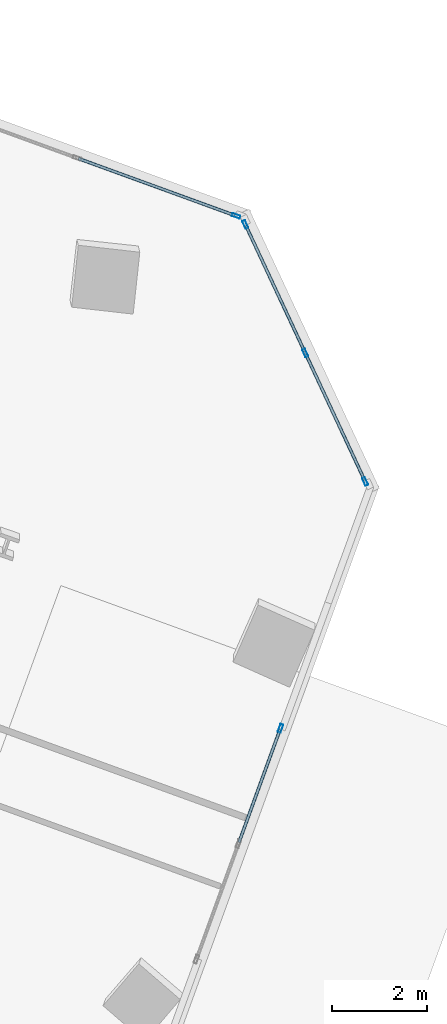
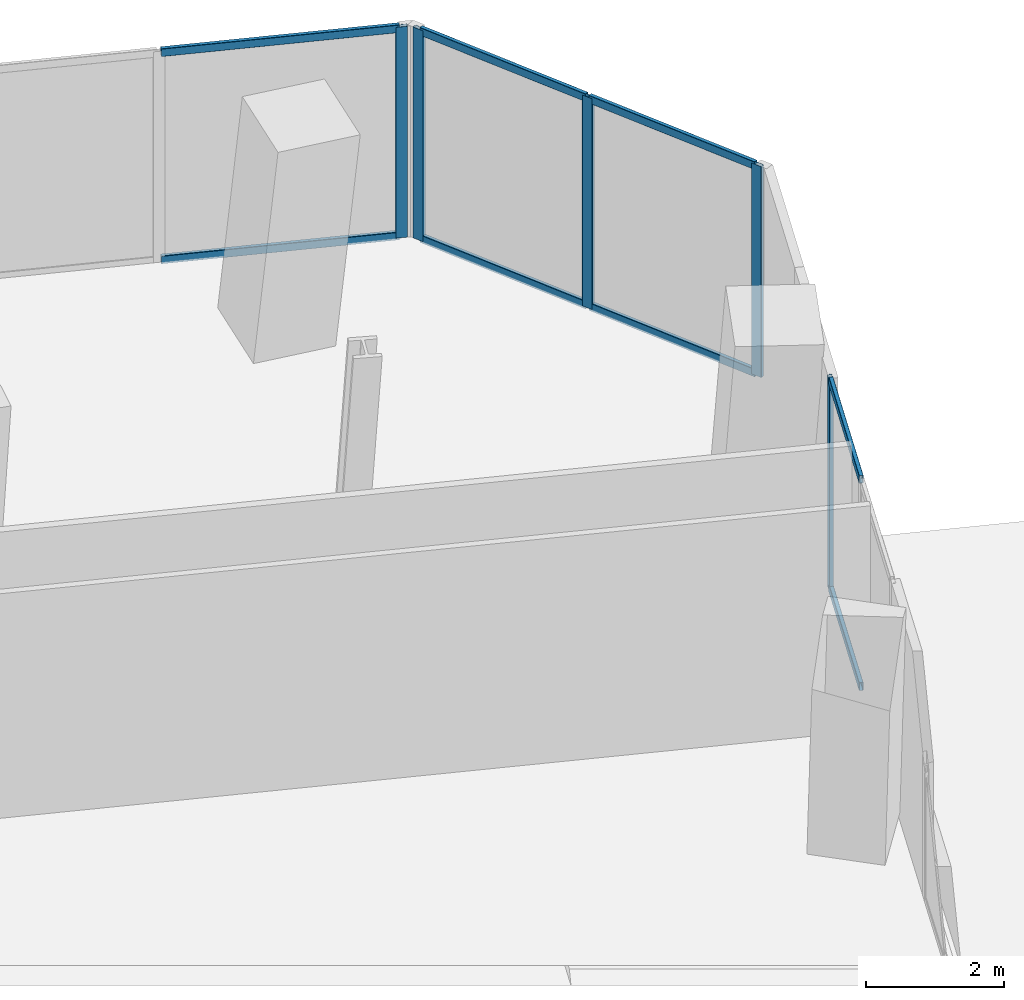
# One storey, part 11 of 21: 13 members, 3 elements without a shape of their own.
"""IFC4 building model written with IfcOpenShell, lengths in metres."""

from ifc_helpers import new_model, si_unit, direction, frame, origin, origin_2d, place, context, subcontext, project, spatial, hollow_rectangle, extrude, source, transform, mapped, material, material_profile, profile_set, type_object, element, aggregate, save


model = new_model("IFC4")

# Units and contexts
model_context = context("Model", 3, precision=1e-05, world=origin(), true_north=direction((0.0, 1.0)))
body_context = subcontext(model_context, "Body", "Model", "MODEL_VIEW")
ifc_project = project(units=[si_unit("LENGTHUNIT", "METRE"), si_unit("AREAUNIT", "SQUARE_METRE"), si_unit("VOLUMEUNIT", "CUBIC_METRE"), si_unit("PLANEANGLEUNIT", "RADIAN"), si_unit("MASSUNIT", "GRAM", prefix="KILO")], contexts=[model_context])

# Site, building, storey
site_placement = place(None, origin())
site = spatial("IfcSite", under=ifc_project, at=site_placement, CompositionType="ELEMENT")
building_placement = place(site_placement, origin())
building = spatial("IfcBuilding", under=site, at=building_placement, Name="Torre Montelarca", CompositionType="ELEMENT")
storey_placement = place(building_placement, frame((0.0, 0.0, 133.0)))
storey = spatial("IfcBuildingStorey", under=building, at=storey_placement, Name="L29", CompositionType="ELEMENT", Elevation=133.0)

# Curtain wall, members
ifc_material_1 = material(Name="Insulated low-E laminated glass", Category="glass")
curtain_wall_type = type_object("IfcCurtainWallType", Name="CW-SYS-Z2", PredefinedType="USERDEFINED", material=ifc_material_1)
curtain_wall_1_placement = place(storey_placement, origin())
curtain_wall_1 = element("IfcCurtainWall", 1, at=curtain_wall_1_placement, inside=storey, type_object=curtain_wall_type, Name="L29 Curtain Wall Run CW-T3-L29-E07-B1", ObjectType="UNITISED GLAZING", PredefinedType="USERDEFINED")
ifc_material_2 = material(Name="Anodised aluminium AA 6063-T6", Category="aluminium")
ifc_material_profile_1 = material_profile(ifc_material_2, hollow_rectangle(XDim=0.06494140625, YDim=0.139892578125, WallThickness=0.00390625, InnerFilletRadius=0.00390625, OuterFilletRadius=0.008056640625, at=origin_2d()), Name="ALU65X140X4", Category="aluminium")
ifc_profile_set_1 = profile_set([ifc_material_profile_1], Name="Anodised aluminium AA 6063-T6")
member_type_1 = type_object("IfcMemberType", Name="CWT-ALU140", PredefinedType="USERDEFINED", material=ifc_profile_set_1)
shared_shape_1 = source(origin(), body_context, "Body", "SweptSolid", [
    extrude(hollow_rectangle(XDim=0.06494140625, YDim=0.139892578125, WallThickness=0.00390625, InnerFilletRadius=0.00390625, OuterFilletRadius=0.008056640625, at=origin_2d()), origin(), (0.0, 0.0, 1.0), 2.918701171875),
])
member_1_placement = place(storey_placement, frame((51.03369140625, 33.77734375, 0.032470703125), z_axis=(-0.422587791305, 0.90632199501, 0.0), x_axis=(-0.90632199501, -0.422587791305, 0.0)))
member_1 = element("IfcMember", 2, at=member_1_placement, type_object=member_type_1, Name="CW transom 1.1", ObjectType="TRANSOM", PredefinedType="USERDEFINED", context=body_context, shape_type="MappedRepresentation", body=[
    mapped(shared_shape_1, transform((0.0, 0.0, 0.0), scale=1.0)),
])
member_2_placement = place(storey_placement, frame((51.03369140625, 33.77734375, 3.6875), z_axis=(-0.422587791305, 0.90632199501, 0.0), x_axis=(-0.90632199501, -0.422587791305, 0.0)))
member_2 = element("IfcMember", 3, at=member_2_placement, type_object=member_type_1, Name="CW transom 1.2", ObjectType="TRANSOM", PredefinedType="USERDEFINED", context=body_context, shape_type="MappedRepresentation", body=[
    mapped(shared_shape_1, transform((0.0, 0.0, 0.0), scale=1.0)),
])
member_3_placement = place(storey_placement, frame((49.77294921875, 36.4814453125, 0.032470703125), z_axis=(-0.422587791305, 0.90632199501, 0.0), x_axis=(-0.90632199501, -0.422587791305, 0.0)))
member_3 = element("IfcMember", 4, at=member_3_placement, type_object=member_type_1, Name="CW transom 2.1", ObjectType="TRANSOM", PredefinedType="USERDEFINED", context=body_context, shape_type="MappedRepresentation", body=[
    mapped(shared_shape_1, transform((0.0, 0.0, 0.0), scale=1.0)),
])
member_4_placement = place(storey_placement, frame((49.77294921875, 36.4814453125, 3.6875), z_axis=(-0.422587791305, 0.90632199501, 0.0), x_axis=(-0.90632199501, -0.422587791305, 0.0)))
member_4 = element("IfcMember", 5, at=member_4_placement, type_object=member_type_1, Name="CW transom 2.2", ObjectType="TRANSOM", PredefinedType="USERDEFINED", context=body_context, shape_type="MappedRepresentation", body=[
    mapped(shared_shape_1, transform((0.0, 0.0, 0.0), scale=1.0)),
])

# Curtain wall, member
curtain_wall_2_placement = place(storey_placement, origin())
curtain_wall_2 = element("IfcCurtainWall", 6, at=curtain_wall_2_placement, inside=storey, type_object=curtain_wall_type, Name="L29 Curtain Wall Run CW-T3-L29-E06-B2", ObjectType="UNITISED GLAZING", PredefinedType="USERDEFINED")
ifc_material_profile_2 = material_profile(ifc_material_2, hollow_rectangle(XDim=0.06494140625, YDim=0.179931640625, WallThickness=0.00390625, InnerFilletRadius=0.00390625, OuterFilletRadius=0.008056640625, at=origin_2d()), Name="ALU65X180X4", Category="aluminium")
ifc_profile_set_2 = profile_set([ifc_material_profile_2], Name="Anodised aluminium AA 6063-T6")
member_type_2 = type_object("IfcMemberType", Name="CWM-ALU180", PredefinedType="MULLION", material=ifc_profile_set_2)
shared_shape_2 = source(origin(), body_context, "Body", "SweptSolid", [
    extrude(hollow_rectangle(XDim=0.06494140625, YDim=0.179931640625, WallThickness=0.00390625, InnerFilletRadius=0.00390625, OuterFilletRadius=0.008056640625, at=origin_2d()), origin(), (0.0, 0.0, 1.0), 3.719970703125),
])
member_5_placement = place(storey_placement, frame((49.265625, 28.55322265625, 0.0), z_axis=(0.0, 0.0, 1.0), x_axis=(-0.939697456867, 0.34200685601, 0.0)))
member_5 = element("IfcMember", 7, at=member_5_placement, type_object=member_type_2, Name="CW mullion 3", PredefinedType="MULLION", context=body_context, shape_type="MappedRepresentation", body=[
    mapped(shared_shape_2, transform((0.0, 0.0, 0.0), scale=1.0)),
])

# Member
member_6_placement = place(storey_placement, frame((51.04736328125, 33.748046875, 0.0), z_axis=(0.0, 0.0, 1.0), x_axis=(-0.906317349192, -0.422597755027, 0.0)))
member_6 = element("IfcMember", 8, at=member_6_placement, type_object=member_type_2, Name="CW mullion 1", PredefinedType="MULLION", context=body_context, shape_type="MappedRepresentation", body=[
    mapped(shared_shape_2, transform((0.0, 0.0, 0.0), scale=1.0)),
])

member_7_placement = place(storey_placement, frame((49.78662109375, 36.4521484375, 0.0), z_axis=(0.0, 0.0, 1.0), x_axis=(-0.906317349192, -0.422597755027, 0.0)))
member_7 = element("IfcMember", 9, at=member_7_placement, type_object=member_type_2, Name="CW mullion 2", PredefinedType="MULLION", context=body_context, shape_type="MappedRepresentation", body=[
    mapped(shared_shape_2, transform((0.0, 0.0, 0.0), scale=1.0)),
])

member_8_placement = place(storey_placement, frame((48.525634765625, 39.15625, 0.0), z_axis=(0.0, 0.0, 1.0), x_axis=(-0.906317349192, -0.422597755027, 0.0)))
member_8 = element("IfcMember", 10, at=member_8_placement, type_object=member_type_2, Name="CW mullion 3", PredefinedType="MULLION", context=body_context, shape_type="MappedRepresentation", body=[
    mapped(shared_shape_2, transform((0.0, 0.0, 0.0), scale=1.0)),
])

aggregate(curtain_wall_1, [member_6, member_7, member_8, member_1, member_2, member_3, member_4])

# Curtain wall, members
curtain_wall_3_placement = place(storey_placement, origin())
curtain_wall_3 = element("IfcCurtainWall", 11, at=curtain_wall_3_placement, inside=storey, type_object=curtain_wall_type, Name="L29 Curtain Wall Run CW-T3-L29-E08-B1", ObjectType="UNITISED GLAZING", PredefinedType="USERDEFINED")
member_9_placement = place(storey_placement, frame((48.328857421875, 39.33642578125, 0.0), z_axis=(0.0, 0.0, 1.0), x_axis=(-0.342018176041, -0.939693336817, 0.0)))
member_9 = element("IfcMember", 12, at=member_9_placement, type_object=member_type_2, Name="CW mullion 1", PredefinedType="MULLION", context=body_context, shape_type="MappedRepresentation", body=[
    mapped(shared_shape_2, transform((0.0, 0.0, 0.0), scale=1.0)),
])
shared_shape_3 = source(origin(), body_context, "Body", "SweptSolid", [
    extrude(hollow_rectangle(XDim=0.06494140625, YDim=0.139892578125, WallThickness=0.00390625, InnerFilletRadius=0.00390625, OuterFilletRadius=0.008056640625, at=origin_2d()), origin(), (0.0, 0.0, 1.0), 3.4921875),
])
member_10_placement = place(storey_placement, frame((48.29833984375, 39.34765625, 0.032470703125), z_axis=(-0.939695405145, 0.342012493265, 0.0), x_axis=(-0.342012493265, -0.939695405145, 0.0)))
member_10 = element("IfcMember", 13, at=member_10_placement, type_object=member_type_1, Name="CW transom 1.1", ObjectType="TRANSOM", PredefinedType="USERDEFINED", context=body_context, shape_type="MappedRepresentation", body=[
    mapped(shared_shape_3, transform((0.0, 0.0, 0.0), scale=1.0)),
])
member_11_placement = place(storey_placement, frame((48.29833984375, 39.34765625, 3.6875), z_axis=(-0.939695405145, 0.342012493265, 0.0), x_axis=(-0.342012493265, -0.939695405145, 0.0)))
member_11 = element("IfcMember", 14, at=member_11_placement, type_object=member_type_1, Name="CW transom 1.2", ObjectType="TRANSOM", PredefinedType="USERDEFINED", context=body_context, shape_type="MappedRepresentation", body=[
    mapped(shared_shape_3, transform((0.0, 0.0, 0.0), scale=1.0)),
])
aggregate(curtain_wall_3, [member_9, member_10, member_11])

# Member
shared_shape_4 = source(origin(), body_context, "Body", "SweptSolid", [
    extrude(hollow_rectangle(XDim=0.06494140625, YDim=0.139892578125, WallThickness=0.00390625, InnerFilletRadius=0.00390625, OuterFilletRadius=0.008056640625, at=origin_2d()), origin(), (0.0, 0.0, 1.0), 2.519775390625),
])
member_12_placement = place(storey_placement, frame((48.392578125, 26.15478515625, 0.032470703125), z_axis=(0.342007541231, 0.939697207478, 0.0), x_axis=(-0.939697207478, 0.342007541231, 0.0)))
member_12 = element("IfcMember", 15, at=member_12_placement, type_object=member_type_1, Name="CW transom 2.1", ObjectType="TRANSOM", PredefinedType="USERDEFINED", context=body_context, shape_type="MappedRepresentation", body=[
    mapped(shared_shape_4, transform((0.0, 0.0, 0.0), scale=1.0)),
])

member_13_placement = place(storey_placement, frame((48.392578125, 26.15478515625, 3.6875), z_axis=(0.342007541231, 0.939697207478, 0.0), x_axis=(-0.939697207478, 0.342007541231, 0.0)))
member_13 = element("IfcMember", 16, at=member_13_placement, type_object=member_type_1, Name="CW transom 2.2", ObjectType="TRANSOM", PredefinedType="USERDEFINED", context=body_context, shape_type="MappedRepresentation", body=[
    mapped(shared_shape_4, transform((0.0, 0.0, 0.0), scale=1.0)),
])

aggregate(curtain_wall_2, [member_5, member_12, member_13])

save(model, "model.ifc")
